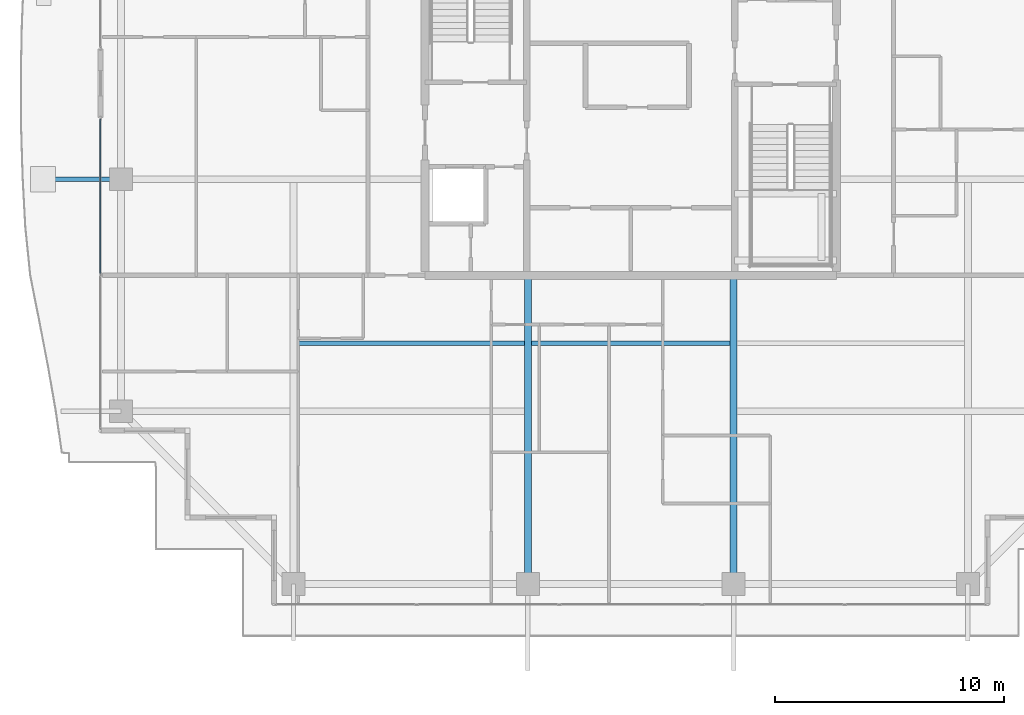
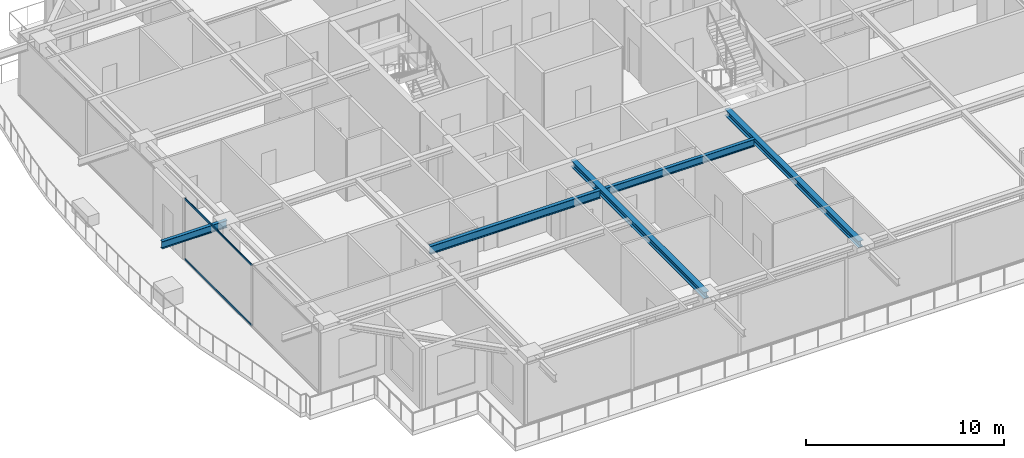
# One storey, part 7 of 37: 5 beams, 2 members, 1 element without a shape of its own.
"""IFC4 building model written with IfcOpenShell, lengths in metres."""

from ifc_helpers import new_model, si_unit, direction, frame, origin, origin_2d, place, context, subcontext, project, spatial, hollow_rectangle, i_section, extrude, source, transform, mapped, material, layer, layer_set, material_profile, profile_set, type_object, element, aggregate, save


model = new_model("IFC4")

# Units and contexts
model_context = context("Model", 3, precision=1e-05, world=origin(), true_north=direction((0.0, 1.0)))
body_context = subcontext(model_context, "Body", "Model", "MODEL_VIEW")
ifc_project = project(units=[si_unit("LENGTHUNIT", "METRE"), si_unit("AREAUNIT", "SQUARE_METRE"), si_unit("VOLUMEUNIT", "CUBIC_METRE"), si_unit("PLANEANGLEUNIT", "RADIAN"), si_unit("MASSUNIT", "GRAM", prefix="KILO")], contexts=[model_context])

# Site, building, storey
site_placement = place(None, origin())
site = spatial("IfcSite", under=ifc_project, at=site_placement, CompositionType="ELEMENT")
building_placement = place(site_placement, origin())
building = spatial("IfcBuilding", under=site, at=building_placement, Name="Serunith Strait Residences", CompositionType="ELEMENT")
storey_placement = place(building_placement, frame((0.0, 0.0, 317.75)))
storey = spatial("IfcBuildingStorey", under=building, at=storey_placement, Name="L79", CompositionType="ELEMENT", Elevation=317.75)

# Beams
ifc_material_1 = material(Name="Steel S355J2", Category="steel")
ifc_material_profile_1 = material_profile(ifc_material_1, i_section(OverallWidth=0.18994140625, OverallDepth=0.449951171875, WebThickness=0.009521484375, FlangeThickness=0.0146484375, FilletRadius=0.02099609375, at=origin_2d()), Name="IPE 450")
ifc_profile_set_1 = profile_set([ifc_material_profile_1], Name="Steel S355J2")
beam_type_1 = type_object("IfcBeamType", Name="BM-IPE450", PredefinedType="JOIST", material=ifc_profile_set_1)
shared_shape_1 = source(origin(), body_context, "Body", "SweptSolid", [
    extrude(i_section(OverallWidth=0.18994140625, OverallDepth=0.449951171875, WebThickness=0.009521484375, FlangeThickness=0.0146484375, FilletRadius=0.02099609375, at=origin_2d()), origin(), (0.0, 0.0, 1.0), 8.699951171875),
])
beam_1_placement = place(storey_placement, frame((28.050048828125, 13.824951171875, 3.56201171875), z_axis=(1.0, 0.0, 0.0), x_axis=(0.0, 1.0, 0.0)))
element("IfcBeam", 1, at=beam_1_placement, inside=storey, type_object=beam_type_1, Name="L79 Composite Floor Joist 02", PredefinedType="JOIST", context=body_context, shape_type="MappedRepresentation", body=[
    mapped(shared_shape_1, transform((0.0, 0.0, 0.0), scale=1.0)),
])
ifc_material_profile_2 = material_profile(ifc_material_1, i_section(OverallWidth=0.199951171875, OverallDepth=0.5, WebThickness=0.01025390625, FlangeThickness=0.01611328125, FilletRadius=0.02099609375, at=origin_2d()), Name="IPE 500")
ifc_profile_set_2 = profile_set([ifc_material_profile_2], Name="Steel S355J2")
beam_type_2 = type_object("IfcBeamType", Name="BM-IPE500", PredefinedType="JOIST", material=ifc_profile_set_2)
shared_shape_2 = source(origin(), body_context, "Body", "SweptSolid", [
    extrude(i_section(OverallWidth=0.199951171875, OverallDepth=0.5, WebThickness=0.01025390625, FlangeThickness=0.01611328125, FilletRadius=0.02099609375, at=origin_2d()), origin(), (0.0, 0.0, 1.0), 9.949951171875),
])
beam_2_placement = place(storey_placement, frame((17.800048828125, 13.824951171875, 3.537109375), z_axis=(1.0, 0.0, 0.0), x_axis=(0.0, 1.0, 0.0)))
element("IfcBeam", 2, at=beam_2_placement, inside=storey, type_object=beam_type_2, Name="L79 Composite Floor Joist 01", PredefinedType="JOIST", context=body_context, shape_type="MappedRepresentation", body=[
    mapped(shared_shape_2, transform((0.0, 0.0, 0.0), scale=1.0)),
])
ifc_material_profile_3 = material_profile(ifc_material_1, i_section(OverallWidth=0.300048828125, OverallDepth=0.39990234375, WebThickness=0.013427734375, FlangeThickness=0.02392578125, FilletRadius=0.027099609375, at=origin_2d()), Name="HEB 400")
ifc_profile_set_3 = profile_set([ifc_material_profile_3], Name="Steel S355J2")
beam_type_3 = type_object("IfcBeamType", Name="BM-HEB400", PredefinedType="BEAM", material=ifc_profile_set_3)
shared_shape_3 = source(origin(), body_context, "Body", "SweptSolid", [
    extrude(i_section(OverallWidth=0.300048828125, OverallDepth=0.39990234375, WebThickness=0.013427734375, FlangeThickness=0.02392578125, FilletRadius=0.027099609375, at=origin_2d()), origin(), (0.0, 0.0, 1.0), 13.5),
])
for number, where, z_axis, x_axis, name in (
    (3, (27.89990234375, 16.800048828125, 3.5869140625), (0.0, -1.0, 0.0), (1.0, 0.0, 0.0), "L79 Primary Floor Girder TC-S2"),
    (4, (36.89990234375, 16.800048828125, 3.5869140625), (0.0, -1.0, 0.0), (1.0, 0.0, 0.0), "L79 Primary Floor Girder TC-S3"),
):
    element("IfcBeam", number, at=place(storey_placement, frame(where, z_axis=z_axis, x_axis=x_axis)), inside=storey, type_object=beam_type_3, Name=name, PredefinedType="BEAM", context=body_context, shape_type="MappedRepresentation", body=[
        mapped(shared_shape_3, transform((0.0, 0.0, 0.0), scale=1.0)),
    ])
shared_shape_4 = source(origin(), body_context, "Body", "SweptSolid", [
    extrude(i_section(OverallWidth=0.18994140625, OverallDepth=0.449951171875, WebThickness=0.009521484375, FlangeThickness=0.0146484375, FilletRadius=0.02099609375, at=origin_2d()), origin(), (0.0, 0.0, 1.0), 3.800048828125),
])
beam_3_placement = place(storey_placement, frame((10.10009765625, 21.0, 3.531982421875), z_axis=(-1.0, 0.0, 0.0), x_axis=(0.0, -1.0, 0.0)))
element("IfcBeam", 5, at=beam_3_placement, inside=storey, type_object=beam_type_1, Name="L80 Cantilevered Balcony Rib TC-W2", PredefinedType="JOIST", context=body_context, shape_type="MappedRepresentation", body=[
    mapped(shared_shape_4, transform((0.0, 0.0, 0.0), scale=1.0)),
])

# Curtain wall, members
ifc_material_2 = material(Name="Brushed Stainless-Silver Aluminium", Category="aluminium")
ifc_layer = layer(ifc_material_2, 0.199951171875, Name="Brushed Stainless-Silver Aluminium")
ifc_layer_set = layer_set([ifc_layer], Name="Brushed Stainless-Silver Aluminium")
curtain_wall_type = type_object("IfcCurtainWallType", Name="CW-SYS5", PredefinedType="NOTDEFINED", material=ifc_layer_set)
curtain_wall_placement = place(storey_placement, origin())
curtain_wall = element("IfcCurtainWall", 6, at=curtain_wall_placement, inside=storey, type_object=curtain_wall_type, Name="L79 W Unitised Fritted Curtain Wall", PredefinedType="NOTDEFINED")
ifc_material_profile_4 = material_profile(ifc_material_2, hollow_rectangle(XDim=0.06005859375, YDim=0.1201171875, WallThickness=0.00341796875, InnerFilletRadius=0.00537109375, OuterFilletRadius=0.0087890625, at=origin_2d()), Name="ALU 120x60x3.5")
ifc_profile_set_4 = profile_set([ifc_material_profile_4], Name="Brushed Stainless-Silver Aluminium")
member_type = type_object("IfcMemberType", Name="CW-SYS5-TRAN", PredefinedType="USERDEFINED", material=ifc_profile_set_4)
shared_shape_5 = source(origin(), body_context, "Body", "SweptSolid", [
    extrude(hollow_rectangle(XDim=0.06005859375, YDim=0.1201171875, WallThickness=0.00341796875, InnerFilletRadius=0.00537109375, OuterFilletRadius=0.0087890625, at=origin_2d()), origin(), (0.0, 0.0, 1.0), 6.75244140625),
])
member_1_placement = place(storey_placement, frame((9.199951171875, 23.635009765625, 0.030029296875), z_axis=(0.0, -1.0, 0.0), x_axis=(1.0, 0.0, 0.0)))
member_1 = element("IfcMember", 7, at=member_1_placement, type_object=member_type, Name="CW-5 transom 1.1", ObjectType="TRANSOM", PredefinedType="USERDEFINED", context=body_context, shape_type="MappedRepresentation", body=[
    mapped(shared_shape_5, transform((0.0, 0.0, 0.0), scale=1.0)),
])
member_2_placement = place(storey_placement, frame((9.199951171875, 23.635009765625, 3.7451171875), z_axis=(0.0, -1.0, 0.0), x_axis=(1.0, 0.0, 0.0)))
member_2 = element("IfcMember", 8, at=member_2_placement, type_object=member_type, Name="CW-5 transom 1.2", ObjectType="TRANSOM", PredefinedType="USERDEFINED", context=body_context, shape_type="MappedRepresentation", body=[
    mapped(shared_shape_5, transform((0.0, 0.0, 0.0), scale=1.0)),
])
aggregate(curtain_wall, [member_1, member_2])

save(model, "model.ifc")
